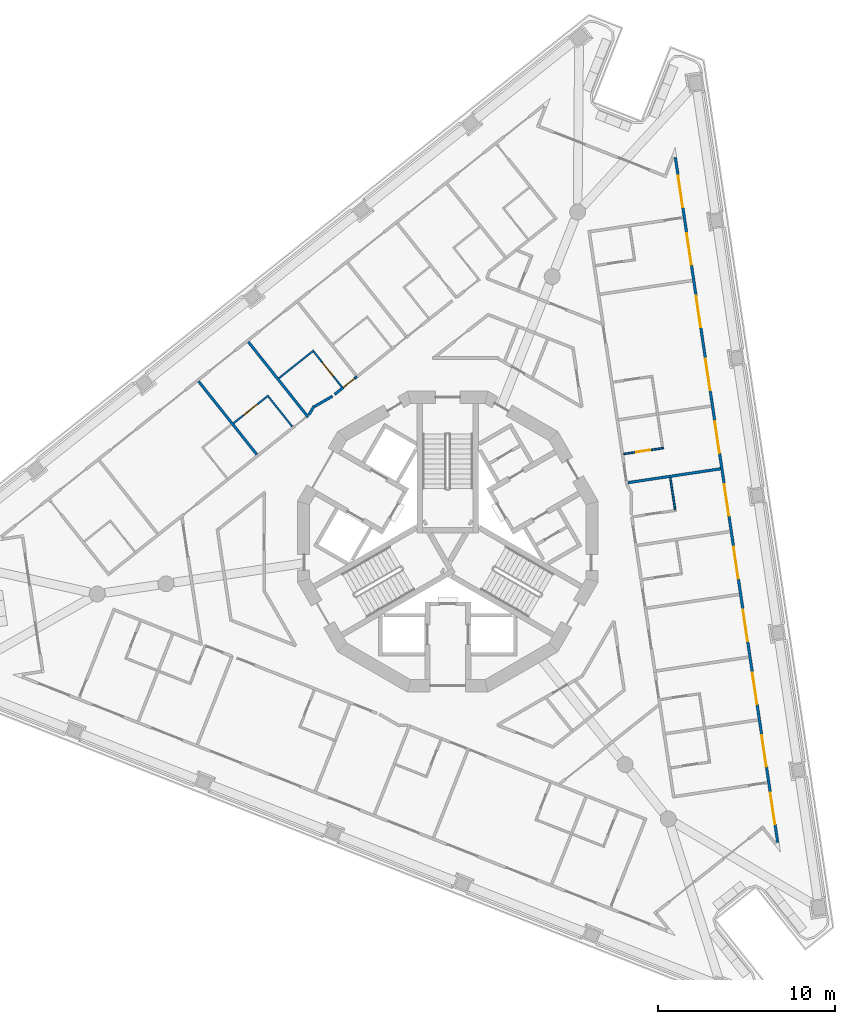
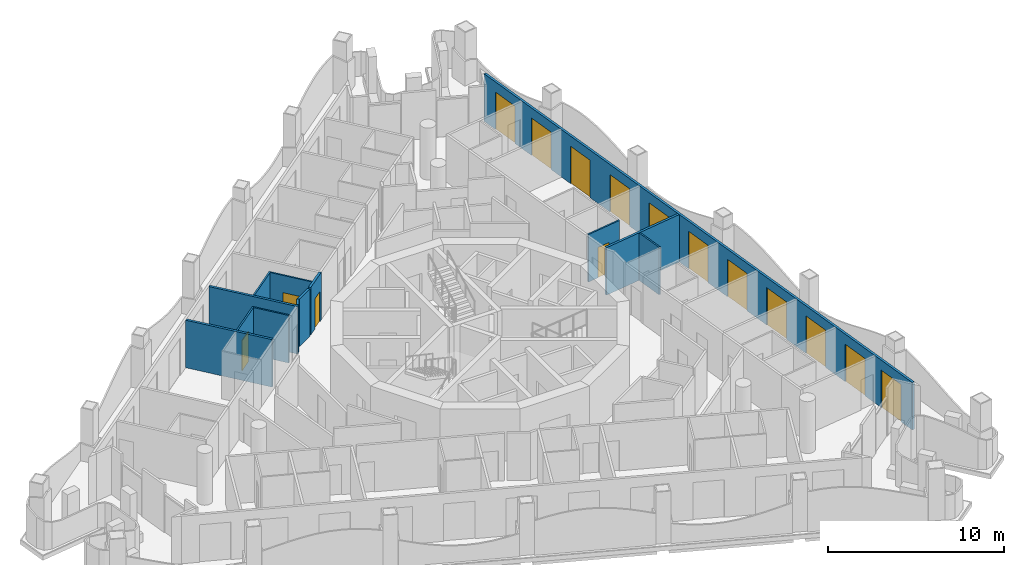
# One storey, part 7 of 17: 15 doors, 13 walls, 15 openings.
"""IFC4 building model written with IfcOpenShell, lengths in metres."""

from ifc_helpers import new_model, si_unit, direction, frame, frame_2d, origin, place, context, subcontext, project, spatial, polyline, rectangle, outline, extrude, material, layer, layer_set, type_object, element, fill, save


model = new_model("IFC4")

# Units and contexts
model_context = context("Model", 3, precision=1e-05, world=origin(), true_north=direction((0.0, 1.0)))
body_context = subcontext(model_context, "Body", "Model", "MODEL_VIEW")
ifc_project = project(units=[si_unit("LENGTHUNIT", "METRE"), si_unit("AREAUNIT", "SQUARE_METRE"), si_unit("VOLUMEUNIT", "CUBIC_METRE"), si_unit("PLANEANGLEUNIT", "RADIAN"), si_unit("MASSUNIT", "GRAM", prefix="KILO")], contexts=[model_context])

# Site, building, storey
site_placement = place(None, origin())
site = spatial("IfcSite", under=ifc_project, at=site_placement, CompositionType="ELEMENT")
building_placement = place(site_placement, origin())
building = spatial("IfcBuilding", under=site, at=building_placement, Name="Trine Commons Tower", CompositionType="ELEMENT")
storey_placement = place(building_placement, frame((0.0, 0.0, 212.39990234375)))
storey = spatial("IfcBuildingStorey", under=building, at=storey_placement, Name="L55", CompositionType="ELEMENT", Elevation=212.39990234375)

# Wall, openings, doors
ifc_material_1 = material(Name="Aluminium-framed insulated wall panel", Category="aluminium")
ifc_layer_1 = layer(ifc_material_1, 0.14990234375)
ifc_layer_set_1 = layer_set([ifc_layer_1], Name="Aluminium-framed insulated wall panel")
wall_type_1 = type_object("IfcWallType", Name="Glazed frame wall 150, EI 60", PredefinedType="SOLIDWALL", material=ifc_layer_set_1)
wall_1_placement = place(storey_placement, frame((92.835205078125, 84.3603515625, 0.0), z_axis=(0.0, 0.0, 1.0), x_axis=(0.147810490781, -0.989015702006, 0.0)))
wall_1 = element("IfcWall", 1, at=wall_1_placement, inside=storey, type_object=wall_type_1, Name="Glazed frame wall F2", PredefinedType="SOLIDWALL", context=body_context, shape_type="SweptSolid", body=[
    extrude(outline(polyline([(0.1494140625, 0.074951171875), (0.1494140625, -0.074951171875), (39.296875, -0.074951171875), (39.296875, 0.074951171875), (0.1494140625, 0.074951171875)])), origin(), (0.0, 0.0, 1.0), 3.300048828125),
])
opening_1_placement = place(wall_1_placement, frame((1.193115234375, 0.0, 0.0)))
opening_1 = element("IfcOpeningElement", 2, at=opening_1_placement, cuts=wall_1, Name="Opening BD-6F2-01", PredefinedType="OPENING", context=body_context, shape_type="SweptSolid", body=[
    extrude(rectangle(XDim=1.800048828125, YDim=2.60009765625, at=frame_2d((0.89990234375, 1.300048828125))), frame((0.0, 0.0849609375, 0.0), z_axis=(0.0, -1.0, 0.0), x_axis=(1.0, 0.0, 0.0)), (0.0, 0.0, 1.0), 0.169921875),
])
opening_2_placement = place(wall_1_placement, frame((4.47900390625, 0.0, 0.0)))
opening_2 = element("IfcOpeningElement", 3, at=opening_2_placement, cuts=wall_1, Name="Opening BD-6F2-02", PredefinedType="OPENING", context=body_context, shape_type="SweptSolid", body=[
    extrude(rectangle(XDim=1.800048828125, YDim=2.60009765625, at=frame_2d((0.89990234375, 1.300048828125))), frame((0.0, 0.0849609375, 0.0), z_axis=(0.0, -1.0, 0.0), x_axis=(1.0, 0.0, 0.0)), (0.0, 0.0, 1.0), 0.169921875),
])
opening_3_placement = place(wall_1_placement, frame((8.06494140625, 0.0, 0.0)))
opening_3 = element("IfcOpeningElement", 4, at=opening_3_placement, cuts=wall_1, Name="Opening BD-6F2-03", PredefinedType="OPENING", context=body_context, shape_type="SweptSolid", body=[
    extrude(rectangle(XDim=1.800048828125, YDim=2.60009765625, at=frame_2d((0.89990234375, 1.300048828125))), frame((0.0, 0.0849609375, 0.0), z_axis=(0.0, -1.0, 0.0), x_axis=(1.0, 0.0, 0.0)), (0.0, 0.0, 1.0), 0.169921875),
])
opening_4_placement = place(wall_1_placement, frame((11.65087890625, 0.0, 0.0)))
opening_4 = element("IfcOpeningElement", 5, at=opening_4_placement, cuts=wall_1, Name="Opening BD-6F2-04", PredefinedType="OPENING", context=body_context, shape_type="SweptSolid", body=[
    extrude(rectangle(XDim=1.800048828125, YDim=2.60009765625, at=frame_2d((0.89990234375, 1.300048828125))), frame((0.0, 0.0849609375, 0.0), z_axis=(0.0, -1.0, 0.0), x_axis=(1.0, 0.0, 0.0)), (0.0, 0.0, 1.0), 0.169921875),
])
opening_5_placement = place(wall_1_placement, frame((15.237060546875, 0.0, 0.0)))
opening_5 = element("IfcOpeningElement", 6, at=opening_5_placement, cuts=wall_1, Name="Opening BD-6F2-05", PredefinedType="OPENING", context=body_context, shape_type="SweptSolid", body=[
    extrude(rectangle(XDim=1.800048828125, YDim=2.60009765625, at=frame_2d((0.89990234375, 1.300048828125))), frame((0.0, 0.0849609375, 0.0), z_axis=(0.0, -1.0, 0.0), x_axis=(1.0, 0.0, 0.0)), (0.0, 0.0, 1.0), 0.169921875),
])
opening_6_placement = place(wall_1_placement, frame((18.822998046875, 0.0, 0.0)))
opening_6 = element("IfcOpeningElement", 7, at=opening_6_placement, cuts=wall_1, Name="Opening BD-6F2-06", PredefinedType="OPENING", context=body_context, shape_type="SweptSolid", body=[
    extrude(rectangle(XDim=1.800048828125, YDim=2.60009765625, at=frame_2d((0.89990234375, 1.300048828125))), frame((0.0, 0.0849609375, 0.0), z_axis=(0.0, -1.0, 0.0), x_axis=(1.0, 0.0, 0.0)), (0.0, 0.0, 1.0), 0.169921875),
])
opening_7_placement = place(wall_1_placement, frame((22.408935546875, 0.0, 0.0)))
opening_7 = element("IfcOpeningElement", 8, at=opening_7_placement, cuts=wall_1, Name="Opening BD-6F2-07", PredefinedType="OPENING", context=body_context, shape_type="SweptSolid", body=[
    extrude(rectangle(XDim=1.800048828125, YDim=2.60009765625, at=frame_2d((0.89990234375, 1.300048828125))), frame((0.0, 0.0849609375, 0.0), z_axis=(0.0, -1.0, 0.0), x_axis=(1.0, 0.0, 0.0)), (0.0, 0.0, 1.0), 0.169921875),
])
opening_8_placement = place(wall_1_placement, frame((25.9951171875, 0.0, 0.0)))
opening_8 = element("IfcOpeningElement", 9, at=opening_8_placement, cuts=wall_1, Name="Opening BD-6F2-08", PredefinedType="OPENING", context=body_context, shape_type="SweptSolid", body=[
    extrude(rectangle(XDim=1.800048828125, YDim=2.60009765625, at=frame_2d((0.89990234375, 1.300048828125))), frame((0.0, 0.0849609375, 0.0), z_axis=(0.0, -1.0, 0.0), x_axis=(1.0, 0.0, 0.0)), (0.0, 0.0, 1.0), 0.169921875),
])
opening_9_placement = place(wall_1_placement, frame((29.5810546875, 0.0, 0.0)))
opening_9 = element("IfcOpeningElement", 10, at=opening_9_placement, cuts=wall_1, Name="Opening BD-6F2-09", PredefinedType="OPENING", context=body_context, shape_type="SweptSolid", body=[
    extrude(rectangle(XDim=1.800048828125, YDim=2.60009765625, at=frame_2d((0.89990234375, 1.300048828125))), frame((0.0, 0.0849609375, 0.0), z_axis=(0.0, -1.0, 0.0), x_axis=(1.0, 0.0, 0.0)), (0.0, 0.0, 1.0), 0.169921875),
])
opening_10_placement = place(wall_1_placement, frame((33.1669921875, 0.0, 0.0)))
opening_10 = element("IfcOpeningElement", 11, at=opening_10_placement, cuts=wall_1, Name="Opening BD-6F2-10", PredefinedType="OPENING", context=body_context, shape_type="SweptSolid", body=[
    extrude(rectangle(XDim=1.800048828125, YDim=2.60009765625, at=frame_2d((0.89990234375, 1.300048828125))), frame((0.0, 0.0849609375, 0.0), z_axis=(0.0, -1.0, 0.0), x_axis=(1.0, 0.0, 0.0)), (0.0, 0.0, 1.0), 0.169921875),
])
opening_11_placement = place(wall_1_placement, frame((36.452880859375, 0.0, 0.0)))
opening_11 = element("IfcOpeningElement", 12, at=opening_11_placement, cuts=wall_1, Name="Opening BD-6F2-11", PredefinedType="OPENING", context=body_context, shape_type="SweptSolid", body=[
    extrude(rectangle(XDim=1.800048828125, YDim=2.60009765625, at=frame_2d((0.89990234375, 1.300048828125))), frame((0.0, 0.0849609375, 0.0), z_axis=(0.0, -1.0, 0.0), x_axis=(1.0, 0.0, 0.0)), (0.0, 0.0, 1.0), 0.169921875),
])
ifc_material_2 = material(Name="Anodised aluminium frame with double glazing", Category="aluminium")
door_type_1 = type_object("IfcDoorType", Name="Sliding loggia door 1800x2600", OperationType="SLIDING_TO_LEFT", PredefinedType="DOOR", material=ifc_material_2)
door_1_placement = place(opening_1_placement, origin())
door_1 = element("IfcDoor", 13, at=door_1_placement, inside=storey, type_object=door_type_1, Name="Loggia door F2 1", OperationType="SLIDING_TO_LEFT", OverallHeight=2.60009765625, OverallWidth=1.800048828125, PredefinedType="DOOR", context=body_context, shape_type="SweptSolid", body=[
    extrude(rectangle(XDim=1.800048828125, YDim=2.60009765625, at=frame_2d((0.89990234375, 1.300048828125))), frame((0.0, 0.02490234375, 0.0), z_axis=(0.0, -1.0, 0.0), x_axis=(1.0, 0.0, 0.0)), (0.0, 0.0, 1.0), 0.050048828125),
])
fill(opening_1, door_1)
door_2_placement = place(opening_2_placement, origin())
door_2 = element("IfcDoor", 14, at=door_2_placement, inside=storey, type_object=door_type_1, Name="Loggia door F2 2", OperationType="SLIDING_TO_LEFT", OverallHeight=2.60009765625, OverallWidth=1.800048828125, PredefinedType="DOOR", context=body_context, shape_type="SweptSolid", body=[
    extrude(rectangle(XDim=1.800048828125, YDim=2.60009765625, at=frame_2d((0.89990234375, 1.300048828125))), frame((0.0, 0.02490234375, 0.0), z_axis=(0.0, -1.0, 0.0), x_axis=(1.0, 0.0, 0.0)), (0.0, 0.0, 1.0), 0.050048828125),
])
fill(opening_2, door_2)
door_3_placement = place(opening_3_placement, origin())
door_3 = element("IfcDoor", 15, at=door_3_placement, inside=storey, type_object=door_type_1, Name="Loggia door F2 3", OperationType="SLIDING_TO_LEFT", OverallHeight=2.60009765625, OverallWidth=1.800048828125, PredefinedType="DOOR", context=body_context, shape_type="SweptSolid", body=[
    extrude(rectangle(XDim=1.800048828125, YDim=2.60009765625, at=frame_2d((0.89990234375, 1.300048828125))), frame((0.0, 0.02490234375, 0.0), z_axis=(0.0, -1.0, 0.0), x_axis=(1.0, 0.0, 0.0)), (0.0, 0.0, 1.0), 0.050048828125),
])
fill(opening_3, door_3)
door_4_placement = place(opening_4_placement, origin())
door_4 = element("IfcDoor", 16, at=door_4_placement, inside=storey, type_object=door_type_1, Name="Loggia door F2 4", OperationType="SLIDING_TO_LEFT", OverallHeight=2.60009765625, OverallWidth=1.800048828125, PredefinedType="DOOR", context=body_context, shape_type="SweptSolid", body=[
    extrude(rectangle(XDim=1.800048828125, YDim=2.60009765625, at=frame_2d((0.89990234375, 1.300048828125))), frame((0.0, 0.02490234375, 0.0), z_axis=(0.0, -1.0, 0.0), x_axis=(1.0, 0.0, 0.0)), (0.0, 0.0, 1.0), 0.050048828125),
])
fill(opening_4, door_4)
door_5_placement = place(opening_5_placement, origin())
door_5 = element("IfcDoor", 17, at=door_5_placement, inside=storey, type_object=door_type_1, Name="Loggia door F2 5", OperationType="SLIDING_TO_LEFT", OverallHeight=2.60009765625, OverallWidth=1.800048828125, PredefinedType="DOOR", context=body_context, shape_type="SweptSolid", body=[
    extrude(rectangle(XDim=1.800048828125, YDim=2.60009765625, at=frame_2d((0.89990234375, 1.300048828125))), frame((0.0, 0.02490234375, 0.0), z_axis=(0.0, -1.0, 0.0), x_axis=(1.0, 0.0, 0.0)), (0.0, 0.0, 1.0), 0.050048828125),
])
fill(opening_5, door_5)
door_6_placement = place(opening_6_placement, origin())
door_6 = element("IfcDoor", 18, at=door_6_placement, inside=storey, type_object=door_type_1, Name="Loggia door F2 6", OperationType="SLIDING_TO_LEFT", OverallHeight=2.60009765625, OverallWidth=1.800048828125, PredefinedType="DOOR", context=body_context, shape_type="SweptSolid", body=[
    extrude(rectangle(XDim=1.800048828125, YDim=2.60009765625, at=frame_2d((0.89990234375, 1.300048828125))), frame((0.0, 0.02490234375, 0.0), z_axis=(0.0, -1.0, 0.0), x_axis=(1.0, 0.0, 0.0)), (0.0, 0.0, 1.0), 0.050048828125),
])
fill(opening_6, door_6)
door_7_placement = place(opening_7_placement, origin())
door_7 = element("IfcDoor", 19, at=door_7_placement, inside=storey, type_object=door_type_1, Name="Loggia door F2 7", OperationType="SLIDING_TO_LEFT", OverallHeight=2.60009765625, OverallWidth=1.800048828125, PredefinedType="DOOR", context=body_context, shape_type="SweptSolid", body=[
    extrude(rectangle(XDim=1.800048828125, YDim=2.60009765625, at=frame_2d((0.89990234375, 1.300048828125))), frame((0.0, 0.02490234375, 0.0), z_axis=(0.0, -1.0, 0.0), x_axis=(1.0, 0.0, 0.0)), (0.0, 0.0, 1.0), 0.050048828125),
])
fill(opening_7, door_7)
door_8_placement = place(opening_8_placement, origin())
door_8 = element("IfcDoor", 20, at=door_8_placement, inside=storey, type_object=door_type_1, Name="Loggia door F2 8", OperationType="SLIDING_TO_LEFT", OverallHeight=2.60009765625, OverallWidth=1.800048828125, PredefinedType="DOOR", context=body_context, shape_type="SweptSolid", body=[
    extrude(rectangle(XDim=1.800048828125, YDim=2.60009765625, at=frame_2d((0.89990234375, 1.300048828125))), frame((0.0, 0.02490234375, 0.0), z_axis=(0.0, -1.0, 0.0), x_axis=(1.0, 0.0, 0.0)), (0.0, 0.0, 1.0), 0.050048828125),
])
fill(opening_8, door_8)
door_9_placement = place(opening_9_placement, origin())
door_9 = element("IfcDoor", 21, at=door_9_placement, inside=storey, type_object=door_type_1, Name="Loggia door F2 9", OperationType="SLIDING_TO_LEFT", OverallHeight=2.60009765625, OverallWidth=1.800048828125, PredefinedType="DOOR", context=body_context, shape_type="SweptSolid", body=[
    extrude(rectangle(XDim=1.800048828125, YDim=2.60009765625, at=frame_2d((0.89990234375, 1.300048828125))), frame((0.0, 0.02490234375, 0.0), z_axis=(0.0, -1.0, 0.0), x_axis=(1.0, 0.0, 0.0)), (0.0, 0.0, 1.0), 0.050048828125),
])
fill(opening_9, door_9)
door_10_placement = place(opening_10_placement, origin())
door_10 = element("IfcDoor", 22, at=door_10_placement, inside=storey, type_object=door_type_1, Name="Loggia door F2 10", OperationType="SLIDING_TO_LEFT", OverallHeight=2.60009765625, OverallWidth=1.800048828125, PredefinedType="DOOR", context=body_context, shape_type="SweptSolid", body=[
    extrude(rectangle(XDim=1.800048828125, YDim=2.60009765625, at=frame_2d((0.89990234375, 1.300048828125))), frame((0.0, 0.02490234375, 0.0), z_axis=(0.0, -1.0, 0.0), x_axis=(1.0, 0.0, 0.0)), (0.0, 0.0, 1.0), 0.050048828125),
])
fill(opening_10, door_10)
door_11_placement = place(opening_11_placement, origin())
door_11 = element("IfcDoor", 23, at=door_11_placement, inside=storey, type_object=door_type_1, Name="Loggia door F2 11", OperationType="SLIDING_TO_LEFT", OverallHeight=2.60009765625, OverallWidth=1.800048828125, PredefinedType="DOOR", context=body_context, shape_type="SweptSolid", body=[
    extrude(rectangle(XDim=1.800048828125, YDim=2.60009765625, at=frame_2d((0.89990234375, 1.300048828125))), frame((0.0, 0.02490234375, 0.0), z_axis=(0.0, -1.0, 0.0), x_axis=(1.0, 0.0, 0.0)), (0.0, 0.0, 1.0), 0.050048828125),
])
fill(opening_11, door_11)

# Walls
ifc_material_3 = material(Name="Gypsum plasterboard on steel stud", Category="steel")
ifc_layer_2 = layer(ifc_material_3, 0.14990234375)
ifc_layer_set_2 = layer_set([ifc_layer_2], Name="Gypsum plasterboard on steel stud")
wall_type_2 = type_object("IfcWallType", Name="Unit and corridor wall 150 mm, EI 60", PredefinedType="PARTITIONING", material=ifc_layer_set_2)
wall_2_placement = place(storey_placement, frame((65.9228515625, 71.5556640625, 0.0), z_axis=(0.0, 0.0, 1.0), x_axis=(0.622585933561, -0.782551439416, 0.0)))
element("IfcWall", 24, at=wall_2_placement, inside=storey, type_object=wall_type_2, Name="Partition 019", PredefinedType="PARTITIONING", context=body_context, shape_type="SweptSolid", body=[
    extrude(rectangle(XDim=5.28515625, YDim=0.14990234375, at=frame_2d((2.642578125, 0.0))), origin(), (0.0, 0.0, 1.0), 3.300048828125),
])
wall_3_placement = place(storey_placement, frame((68.72998046875, 73.788818359375, 0.0), z_axis=(0.0, 0.0, 1.0), x_axis=(0.622457280045, -0.782653776915, 0.0)))
element("IfcWall", 25, at=wall_3_placement, inside=storey, type_object=wall_type_2, Name="Partition 030", PredefinedType="PARTITIONING", context=body_context, shape_type="SweptSolid", body=[
    extrude(rectangle(XDim=5.4345703125, YDim=0.14990234375, at=frame_2d((2.71728515625, 0.0))), origin(), (0.0, 0.0, 1.0), 3.300048828125),
])
wall_4_placement = place(storey_placement, frame((72.152099609375, 69.656005859375, 0.0), z_axis=(0.0, 0.0, 1.0), x_axis=(0.499165076137, 0.866506910973, 0.0)))
element("IfcWall", 26, at=wall_4_placement, inside=storey, type_object=wall_type_2, Name="Partition 040", PredefinedType="PARTITIONING", context=body_context, shape_type="SweptSolid", body=[
    extrude(rectangle(XDim=0.58154296875, YDim=0.14990234375, at=frame_2d((0.290771484375, 0.0))), origin(), (0.0, 0.0, 1.0), 3.300048828125),
])
wall_5_placement = place(storey_placement, frame((72.469970703125, 70.132568359375, 0.0), z_axis=(0.0, 0.0, 1.0), x_axis=(0.865861083349, 0.5002845034, 0.0)))
element("IfcWall", 27, at=wall_5_placement, inside=storey, type_object=wall_type_2, Name="Partition 042", PredefinedType="PARTITIONING", context=body_context, shape_type="SweptSolid", body=[
    extrude(rectangle(XDim=1.177978515625, YDim=0.14990234375, at=frame_2d((0.5888671875, 0.0))), origin(), (0.0, 0.0, 1.0), 3.300048828125),
])

# Wall, opening, door
wall_6_placement = place(storey_placement, frame((73.60302734375, 70.81591796875, 0.0), z_axis=(0.0, 0.0, 1.0), x_axis=(0.782783875515, 0.622293663983, 0.0)))
wall_6 = element("IfcWall", 28, at=wall_6_placement, inside=storey, type_object=wall_type_2, Name="Partition 045", PredefinedType="PARTITIONING", context=body_context, shape_type="SweptSolid", body=[
    extrude(rectangle(XDim=1.626220703125, YDim=0.14990234375, at=frame_2d((0.81298828125, 0.0))), origin(), (0.0, 0.0, 1.0), 3.300048828125),
])
opening_12_placement = place(wall_6_placement, frame((0.636474609375, 0.0, 0.0)))
opening_12 = element("IfcOpeningElement", 29, at=opening_12_placement, cuts=wall_6, Name="Opening D-6B08", PredefinedType="OPENING", context=body_context, shape_type="SweptSolid", body=[
    extrude(rectangle(XDim=0.800048828125, YDim=2.10009765625, at=frame_2d((0.39990234375, 1.050048828125))), frame((0.0, 0.0849609375, 0.0), z_axis=(0.0, -1.0, 0.0), x_axis=(1.0, 0.0, 0.0)), (0.0, 0.0, 1.0), 0.169921875),
])
ifc_material_4 = material(Name="Timber fire door set", Category="wood")
door_type_2 = type_object("IfcDoorType", Name="Bedroom door 800 x 2100, FD30S", OperationType="NOTDEFINED", PredefinedType="DOOR", material=ifc_material_4)
door_12_placement = place(opening_12_placement, origin())
door_12 = element("IfcDoor", 30, at=door_12_placement, inside=storey, type_object=door_type_2, Name="Door D-6B08", OperationType="SINGLE_SWING_RIGHT", OverallHeight=2.10009765625, OverallWidth=0.800048828125, PredefinedType="DOOR", context=body_context, shape_type="SweptSolid", body=[
    extrude(rectangle(XDim=0.800048828125, YDim=2.10009765625, at=frame_2d((0.39990234375, 1.050048828125))), frame((0.0, 0.02490234375, 0.0), z_axis=(0.0, -1.0, 0.0), x_axis=(1.0, 0.0, 0.0)), (0.0, 0.0, 1.0), 0.050048828125),
])
fill(opening_12, door_12)

# Wall
wall_7_placement = place(storey_placement, frame((90.18408203125, 65.835205078125, 0.0), z_axis=(0.0, 0.0, 1.0), x_axis=(0.98902190879, 0.147768954566, 0.0)))
element("IfcWall", 31, at=wall_7_placement, inside=storey, type_object=wall_type_2, Name="Partition 120", PredefinedType="PARTITIONING", context=body_context, shape_type="SweptSolid", body=[
    extrude(rectangle(XDim=5.285400390625, YDim=0.14990234375, at=frame_2d((2.642578125, 0.0))), origin(), (0.0, 0.0, 1.0), 3.300048828125),
])

# Wall, opening, door
ifc_layer_3 = layer(ifc_material_3, 0.10009765625)
ifc_layer_set_3 = layer_set([ifc_layer_3], Name="Gypsum plasterboard on steel stud")
wall_type_3 = type_object("IfcWallType", Name="Unit partition 100 mm, no rating", PredefinedType="PARTITIONING", material=ifc_layer_set_3)
wall_8_placement = place(storey_placement, frame((67.899658203125, 69.192626953125, 0.0), z_axis=(0.0, 0.0, 1.0), x_axis=(0.78255500256, 0.622581454886, 0.0)))
wall_8 = element("IfcWall", 32, at=wall_8_placement, inside=storey, type_object=wall_type_3, Name="Partition 028", PredefinedType="PARTITIONING", context=body_context, shape_type="SweptSolid", body=[
    extrude(rectangle(XDim=2.524169921875, YDim=0.10009765625, at=frame_2d((1.26220703125, 0.0))), origin(), (0.0, 0.0, 1.0), 3.300048828125),
])
opening_13_placement = place(wall_8_placement, frame((0.737060546875, 0.0, 0.0)))
opening_13 = element("IfcOpeningElement", 33, at=opening_13_placement, cuts=wall_8, Name="Opening D-6B37", PredefinedType="OPENING", context=body_context, shape_type="SweptSolid", body=[
    extrude(rectangle(XDim=1.0, YDim=2.10009765625, at=frame_2d((0.5, 1.050048828125))), frame((0.0, 0.06005859375, 0.0), z_axis=(0.0, -1.0, 0.0), x_axis=(1.0, 0.0, 0.0)), (0.0, 0.0, 1.0), 0.1201171875),
])
ifc_material_5 = material(Name="Painted timber", Category="wood")
door_type_3 = type_object("IfcDoorType", Name="Internal door 1000 x 2100, NOT RATED", OperationType="NOTDEFINED", PredefinedType="DOOR", material=ifc_material_5)
door_13_placement = place(opening_13_placement, origin())
door_13 = element("IfcDoor", 34, at=door_13_placement, inside=storey, type_object=door_type_3, Name="Door D-6B37", OperationType="SINGLE_SWING_LEFT", OverallHeight=2.10009765625, OverallWidth=1.0, PredefinedType="DOOR", context=body_context, shape_type="SweptSolid", body=[
    extrude(rectangle(XDim=1.0, YDim=2.10009765625, at=frame_2d((0.5, 1.050048828125))), frame((0.0, 0.02490234375, 0.0), z_axis=(0.0, -1.0, 0.0), x_axis=(1.0, 0.0, 0.0)), (0.0, 0.0, 1.0), 0.050048828125),
])
fill(opening_13, door_13)

# Walls
wall_9_placement = place(storey_placement, frame((69.8671875, 70.69384765625, 0.0), z_axis=(0.0, 0.0, 1.0), x_axis=(0.622772700452, -0.782402814139, 0.0)))
element("IfcWall", 35, at=wall_9_placement, inside=storey, type_object=wall_type_3, Name="Partition 034", PredefinedType="PARTITIONING", context=body_context, shape_type="SweptSolid", body=[
    extrude(rectangle(XDim=2.155029296875, YDim=0.10009765625, at=frame_2d((1.07763671875, 0.0))), origin(), (0.0, 0.0, 1.0), 3.300048828125),
])
wall_10_placement = place(storey_placement, frame((70.459716796875, 71.734619140625, 0.0), z_axis=(0.0, 0.0, 1.0), x_axis=(0.78255500256, 0.622581454886, 0.0)))
element("IfcWall", 36, at=wall_10_placement, inside=storey, type_object=wall_type_3, Name="Partition 035", PredefinedType="PARTITIONING", context=body_context, shape_type="SweptSolid", body=[
    extrude(rectangle(XDim=2.524169921875, YDim=0.10009765625, at=frame_2d((1.26220703125, 0.0))), origin(), (0.0, 0.0, 1.0), 3.300048828125),
])

# Wall, opening, door
wall_11_placement = place(storey_placement, frame((72.427001953125, 73.23583984375, 0.0), z_axis=(0.0, 0.0, 1.0), x_axis=(0.62266210395, -0.782490833368, 0.0)))
wall_11 = element("IfcWall", 37, at=wall_11_placement, inside=storey, type_object=wall_type_3, Name="Partition 041", PredefinedType="PARTITIONING", context=body_context, shape_type="SweptSolid", body=[
    extrude(rectangle(XDim=2.551025390625, YDim=0.10009765625, at=frame_2d((1.275390625, 0.0))), origin(), (0.0, 0.0, 1.0), 3.300048828125),
])
opening_14_placement = place(wall_11_placement, frame((0.775390625, 0.0, 0.0)))
opening_14 = element("IfcOpeningElement", 38, at=opening_14_placement, cuts=wall_11, Name="Opening D-6B38", PredefinedType="OPENING", context=body_context, shape_type="SweptSolid", body=[
    extrude(rectangle(XDim=1.0, YDim=2.10009765625, at=frame_2d((0.5, 1.050048828125))), frame((0.0, 0.06005859375, 0.0), z_axis=(0.0, -1.0, 0.0), x_axis=(1.0, 0.0, 0.0)), (0.0, 0.0, 1.0), 0.1201171875),
])
door_14_placement = place(opening_14_placement, origin())
door_14 = element("IfcDoor", 39, at=door_14_placement, inside=storey, type_object=door_type_3, Name="Door D-6B38", OperationType="SINGLE_SWING_LEFT", OverallHeight=2.10009765625, OverallWidth=1.0, PredefinedType="DOOR", context=body_context, shape_type="SweptSolid", body=[
    extrude(rectangle(XDim=1.0, YDim=2.10009765625, at=frame_2d((0.5, 1.050048828125))), frame((0.0, 0.02490234375, 0.0), z_axis=(0.0, -1.0, 0.0), x_axis=(1.0, 0.0, 0.0)), (0.0, 0.0, 1.0), 0.050048828125),
])
fill(opening_14, door_14)

wall_12_placement = place(storey_placement, frame((89.942138671875, 67.453125, 0.0), z_axis=(0.0, 0.0, 1.0), x_axis=(0.989023546454, 0.147757993216, 0.0)))
wall_12 = element("IfcWall", 40, at=wall_12_placement, inside=storey, type_object=wall_type_3, Name="Partition 118", PredefinedType="PARTITIONING", context=body_context, shape_type="SweptSolid", body=[
    extrude(rectangle(XDim=2.275146484375, YDim=0.10009765625, at=frame_2d((1.1376953125, 0.0))), origin(), (0.0, 0.0, 1.0), 3.300048828125),
])
opening_15_placement = place(wall_12_placement, frame((0.712646484375, 0.0, 0.0)))
opening_15 = element("IfcOpeningElement", 41, at=opening_15_placement, cuts=wall_12, Name="Opening D-6B45", PredefinedType="OPENING", context=body_context, shape_type="SweptSolid", body=[
    extrude(rectangle(XDim=0.800048828125, YDim=2.10009765625, at=frame_2d((0.39990234375, 1.050048828125))), frame((0.0, 0.06005859375, 0.0), z_axis=(0.0, -1.0, 0.0), x_axis=(1.0, 0.0, 0.0)), (0.0, 0.0, 1.0), 0.1201171875),
])
door_type_4 = type_object("IfcDoorType", Name="Internal door 800 x 2100, NOT RATED", OperationType="NOTDEFINED", PredefinedType="DOOR", material=ifc_material_5)
door_15_placement = place(opening_15_placement, frame((0.800048828125, 0.0, 0.0), z_axis=(0.0, 0.0, 1.0), x_axis=(-1.0, 0.0, 0.0)))
door_15 = element("IfcDoor", 42, at=door_15_placement, inside=storey, type_object=door_type_4, Name="Door D-6B45", OperationType="SINGLE_SWING_RIGHT", OverallHeight=2.10009765625, OverallWidth=0.800048828125, PredefinedType="DOOR", context=body_context, shape_type="SweptSolid", body=[
    extrude(rectangle(XDim=0.800048828125, YDim=2.10009765625, at=frame_2d((0.39990234375, 1.050048828125))), frame((0.0, 0.02490234375, 0.0), z_axis=(0.0, -1.0, 0.0), x_axis=(1.0, 0.0, 0.0)), (0.0, 0.0, 1.0), 0.050048828125),
])
fill(opening_15, door_15)

# Wall
wall_13_placement = place(storey_placement, frame((92.572998046875, 66.11572265625, 0.0), z_axis=(0.0, 0.0, 1.0), x_axis=(0.147751431332, -0.989024526763, 0.0)))
element("IfcWall", 43, at=wall_13_placement, inside=storey, type_object=wall_type_3, Name="Partition 139", PredefinedType="PARTITIONING", context=body_context, shape_type="SweptSolid", body=[
    extrude(rectangle(XDim=1.82421875, YDim=0.10009765625, at=frame_2d((0.912109375, 0.0))), origin(), (0.0, 0.0, 1.0), 3.300048828125),
])

save(model, "model.ifc")
